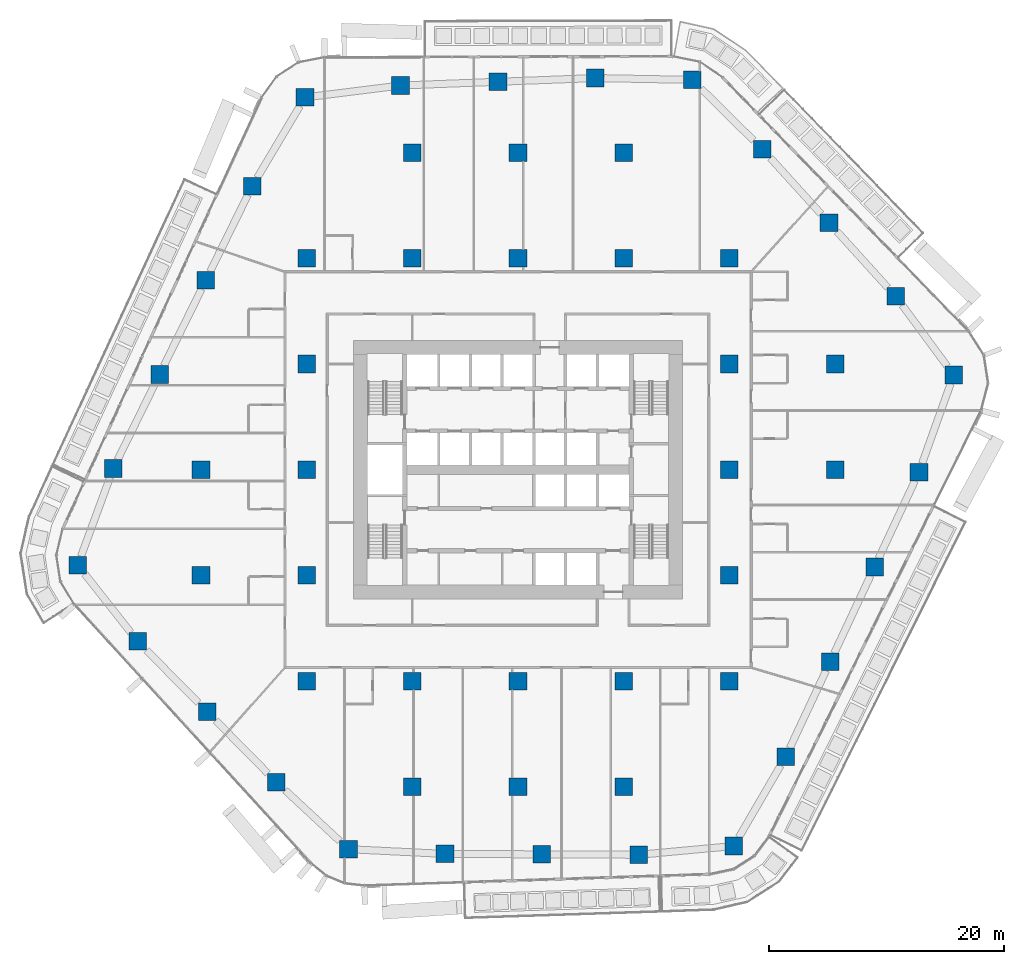
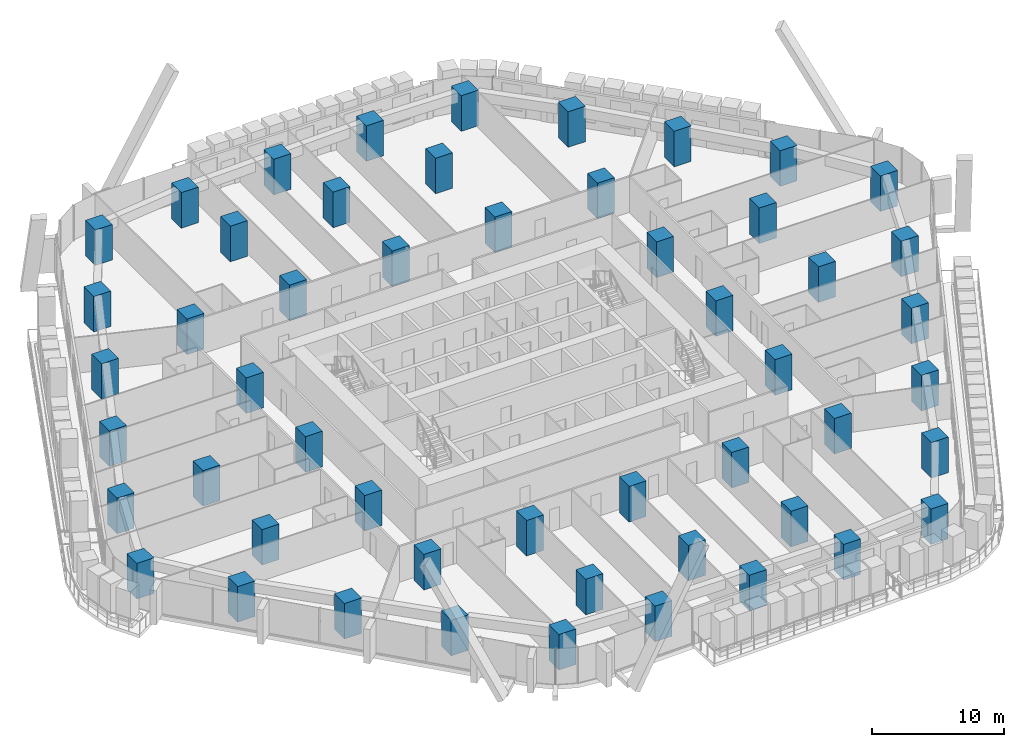
# One storey, part 1 of 27: 52 columns.
"""IFC4 building model written with IfcOpenShell, lengths in metres."""

from ifc_helpers import new_model, si_unit, direction, frame, origin, origin_2d, place, context, subcontext, project, spatial, rectangle, extrude, material, material_profile, profile_set, type_object, element, save


model = new_model("IFC4")

# Units and contexts
model_context = context("Model", 3, precision=1e-05, world=origin(), true_north=direction((0.0, 1.0)))
body_context = subcontext(model_context, "Body", "Model", "MODEL_VIEW")
ifc_project = project(units=[si_unit("LENGTHUNIT", "METRE"), si_unit("AREAUNIT", "SQUARE_METRE"), si_unit("VOLUMEUNIT", "CUBIC_METRE"), si_unit("PLANEANGLEUNIT", "RADIAN"), si_unit("MASSUNIT", "GRAM", prefix="KILO")], contexts=[model_context])

# Site, building, storey
site_placement = place(None, origin())
site = spatial("IfcSite", under=ifc_project, at=site_placement, CompositionType="ELEMENT")
building_placement = place(site_placement, origin())
building = spatial("IfcBuilding", under=site, at=building_placement, Name="Dongbaek Canopy Tower", CompositionType="ELEMENT")
storey_placement = place(building_placement, frame((0.0, 0.0, 62.5)))
storey = spatial("IfcBuildingStorey", under=building, at=storey_placement, Name="L11", CompositionType="ELEMENT", Elevation=62.5)

# Columns
ifc_material = material(Name="Concrete C80", Category="concrete")
ifc_material_profile = material_profile(ifc_material, rectangle(XDim=1.5, YDim=1.5, at=origin_2d()), Name="RC COLUMN 1500x1500 C80")
ifc_profile_set = profile_set([ifc_material_profile], Name="Concrete C80")
column_type = type_object("IfcColumnType", Name="RC COLUMN 1500x1500 C80", PredefinedType="COLUMN", material=ifc_profile_set)
for number, where, z_axis, x_axis, name in (
    (1, (18.367919921875, -32.04296875, 0.0), (0.0, 0.0, 1.0), (1.0, 0.0, 0.0), "COL:CZ1-01:L11"),
    (2, (10.277099609375, -32.7900390625, 0.0), (0.0, 0.0, 1.0), (1.0, 0.0, 0.0), "COL:CZ1-02:L11"),
    (3, (2.027099609375, -32.7529296875, 0.0), (0.0, 0.0, 1.0), (1.0, 0.0, 0.0), "COL:CZ1-03:L11"),
    (4, (-6.221923828125, -32.717041015625, 0.0), (0.0, 0.0, 1.0), (1.0, 0.0, 0.0), "COL:CZ1-04:L11"),
    (5, (-14.43408203125, -32.31298828125, 0.0), (0.0, 0.0, 1.0), (1.0, 0.0, 0.0), "COL:CZ1-05:L11"),
    (6, (-20.573974609375, -26.60205078125, 0.0), (0.0, 0.0, 1.0), (1.0, 0.0, 0.0), "COL:CZ1-06:L11"),
    (7, (-26.47802734375, -20.60791015625, 0.0), (0.0, 0.0, 1.0), (1.0, 0.0, 0.0), "COL:CZ1-07:L11"),
    (8, (-32.382080078125, -14.613037109375, 0.0), (0.0, 0.0, 1.0), (1.0, 0.0, 0.0), "COL:CZ1-08:L11"),
    (9, (-37.489013671875, -8.123046875, 0.0), (0.0, 0.0, 1.0), (1.0, 0.0, 0.0), "COL:CZ1-09:L11"),
    (10, (-34.462890625, 0.10302734375, 0.0), (0.0, 0.0, 1.0), (1.0, 0.0, 0.0), "COL:CZ1-10:L11"),
    (11, (-30.52490234375, 8.111083984375, 0.0), (0.0, 0.0, 1.0), (1.0, 0.0, 0.0), "COL:CZ1-11:L11"),
    (12, (-26.5859375, 16.117919921875, 0.0), (0.0, 0.0, 1.0), (1.0, 0.0, 0.0), "COL:CZ1-12:L11"),
    (13, (-22.64794921875, 24.125, 0.0), (0.0, 0.0, 1.0), (1.0, 0.0, 0.0), "COL:CZ1-13:L11"),
    (14, (-18.138916015625, 31.698974609375, 0.0), (0.0, 0.0, 1.0), (1.0, 0.0, 0.0), "COL:CZ1-14:L11"),
    (15, (-10.006103515625, 32.714111328125, 0.0), (0.0, 0.0, 1.0), (1.0, 0.0, 0.0), "COL:CZ1-15:L11"),
    (16, (-1.7080078125, 33.031982421875, 0.0), (0.0, 0.0, 1.0), (1.0, 0.0, 0.0), "COL:CZ1-16:L11"),
    (17, (6.589111328125, 33.34912109375, 0.0), (0.0, 0.0, 1.0), (1.0, 0.0, 0.0), "COL:CZ1-17:L11"),
    (18, (14.830078125, 33.194091796875, 0.0), (0.0, 0.0, 1.0), (1.0, 0.0, 0.0), "COL:CZ1-18:L11"),
    (19, (20.804931640625, 27.297119140625, 0.0), (0.0, 0.0, 1.0), (1.0, 0.0, 0.0), "COL:CZ1-19:L11"),
    (20, (26.48193359375, 21.029052734375, 0.0), (0.0, 0.0, 1.0), (1.0, 0.0, 0.0), "COL:CZ1-20:L11"),
    (21, (32.157958984375, 14.760986328125, 0.0), (0.0, 0.0, 1.0), (1.0, 0.0, 0.0), "COL:CZ1-21:L11"),
    (22, (37.097900390625, 8.06591796875, 0.0), (0.0, 0.0, 1.0), (1.0, 0.0, 0.0), "COL:CZ1-22:L11"),
    (23, (34.14306640625, -0.205078125, 0.0), (0.0, 0.0, 1.0), (1.0, 0.0, 0.0), "COL:CZ1-23:L11"),
    (24, (30.360107421875, -8.283935546875, 0.0), (0.0, 0.0, 1.0), (1.0, 0.0, 0.0), "COL:CZ1-24:L11"),
    (25, (26.575927734375, -16.364013671875, 0.0), (0.0, 0.0, 1.0), (1.0, 0.0, 0.0), "COL:CZ1-25:L11"),
    (26, (22.7919921875, -24.443115234375, 0.0), (0.0, 0.0, 1.0), (1.0, 0.0, 0.0), "COL:CZ1-26:L11"),
    (27, (-27.0, -9.0, 0.0), (0.0, 0.0, 1.0), (1.0, 0.0, 0.0), "COL:CIZ1-01:L11"),
    (28, (-27.0, 0.0, 0.0), (0.0, 0.0, 1.0), (1.0, 0.0, 0.0), "COL:CIZ1-02:L11"),
    (29, (-18.0, -18.0, 0.0), (0.0, 0.0, 1.0), (1.0, 0.0, 0.0), "COL:CIZ1-03:L11"),
    (30, (-18.0, -9.0, 0.0), (0.0, 0.0, 1.0), (1.0, 0.0, 0.0), "COL:CIZ1-04:L11"),
    (31, (-18.0, 0.0, 0.0), (0.0, 0.0, 1.0), (1.0, 0.0, 0.0), "COL:CIZ1-05:L11"),
    (32, (-18.0, 9.0, 0.0), (0.0, 0.0, 1.0), (1.0, 0.0, 0.0), "COL:CIZ1-06:L11"),
    (33, (-18.0, 18.0, 0.0), (0.0, 0.0, 1.0), (1.0, 0.0, 0.0), "COL:CIZ1-07:L11"),
    (34, (-9.0, -27.0, 0.0), (0.0, 0.0, 1.0), (1.0, 0.0, 0.0), "COL:CIZ1-08:L11"),
    (35, (-9.0, -18.0, 0.0), (0.0, 0.0, 1.0), (1.0, 0.0, 0.0), "COL:CIZ1-09:L11"),
    (36, (-9.0, 18.0, 0.0), (0.0, 0.0, 1.0), (1.0, 0.0, 0.0), "COL:CIZ1-10:L11"),
    (37, (-9.0, 27.0, 0.0), (0.0, 0.0, 1.0), (1.0, 0.0, 0.0), "COL:CIZ1-11:L11"),
    (38, (0.0, -27.0, 0.0), (0.0, 0.0, 1.0), (1.0, 0.0, 0.0), "COL:CIZ1-12:L11"),
    (39, (0.0, -18.0, 0.0), (0.0, 0.0, 1.0), (1.0, 0.0, 0.0), "COL:CIZ1-13:L11"),
    (40, (0.0, 18.0, 0.0), (0.0, 0.0, 1.0), (1.0, 0.0, 0.0), "COL:CIZ1-14:L11"),
    (41, (0.0, 27.0, 0.0), (0.0, 0.0, 1.0), (1.0, 0.0, 0.0), "COL:CIZ1-15:L11"),
    (42, (9.0, -27.0, 0.0), (0.0, 0.0, 1.0), (1.0, 0.0, 0.0), "COL:CIZ1-16:L11"),
    (43, (9.0, -18.0, 0.0), (0.0, 0.0, 1.0), (1.0, 0.0, 0.0), "COL:CIZ1-17:L11"),
    (44, (9.0, 18.0, 0.0), (0.0, 0.0, 1.0), (1.0, 0.0, 0.0), "COL:CIZ1-18:L11"),
    (45, (9.0, 27.0, 0.0), (0.0, 0.0, 1.0), (1.0, 0.0, 0.0), "COL:CIZ1-19:L11"),
    (46, (18.0, -18.0, 0.0), (0.0, 0.0, 1.0), (1.0, 0.0, 0.0), "COL:CIZ1-20:L11"),
    (47, (18.0, -9.0, 0.0), (0.0, 0.0, 1.0), (1.0, 0.0, 0.0), "COL:CIZ1-21:L11"),
    (48, (18.0, 0.0, 0.0), (0.0, 0.0, 1.0), (1.0, 0.0, 0.0), "COL:CIZ1-22:L11"),
    (49, (18.0, 9.0, 0.0), (0.0, 0.0, 1.0), (1.0, 0.0, 0.0), "COL:CIZ1-23:L11"),
    (50, (18.0, 18.0, 0.0), (0.0, 0.0, 1.0), (1.0, 0.0, 0.0), "COL:CIZ1-24:L11"),
    (51, (27.0, 0.0, 0.0), (0.0, 0.0, 1.0), (1.0, 0.0, 0.0), "COL:CIZ1-25:L11"),
    (52, (27.0, 9.0, 0.0), (0.0, 0.0, 1.0), (1.0, 0.0, 0.0), "COL:CIZ1-26:L11"),
):
    element("IfcColumn", number, at=place(storey_placement, frame(where, z_axis=z_axis, x_axis=x_axis)), inside=storey, type_object=column_type, Name=name, PredefinedType="COLUMN", context=body_context, shape_type="SweptSolid", body=[
        extrude(rectangle(XDim=1.5, YDim=1.5, at=origin_2d()), origin(), (0.0, 0.0, 1.0), 3.300048828125),
    ])

save(model, "model.ifc")
